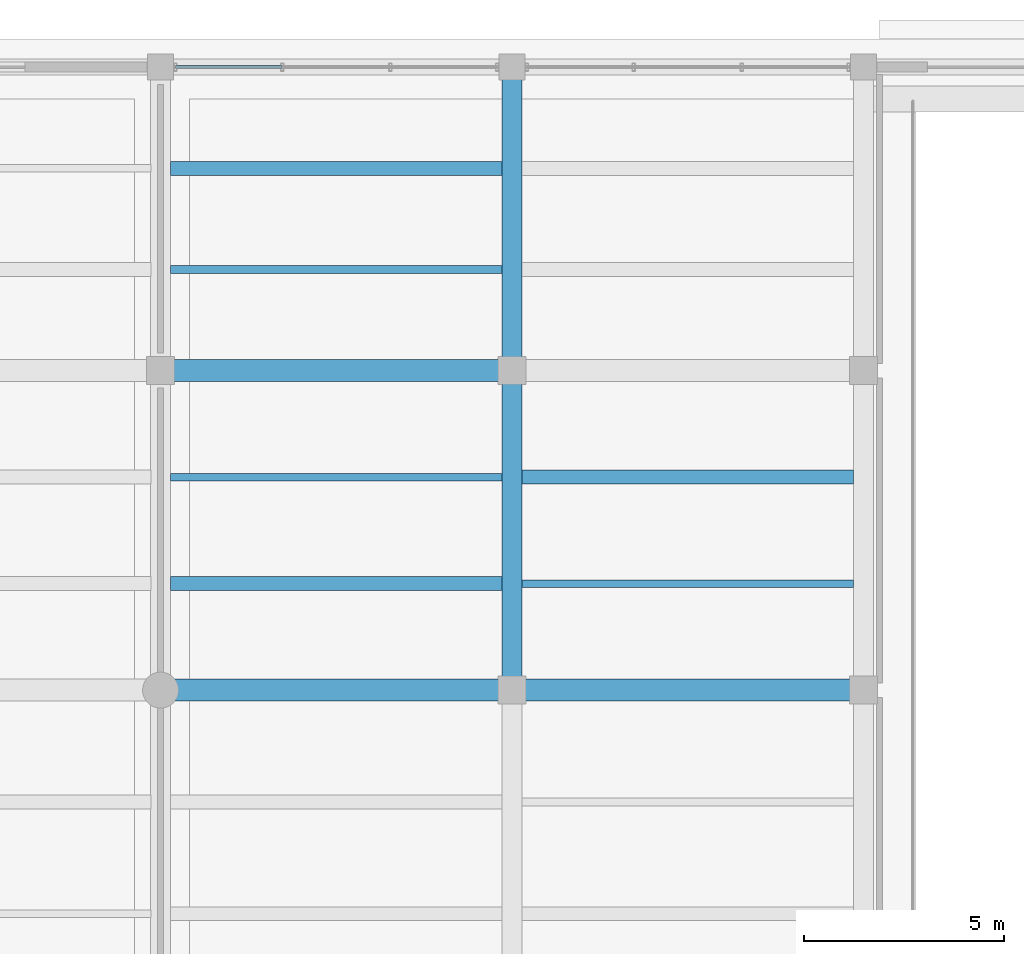
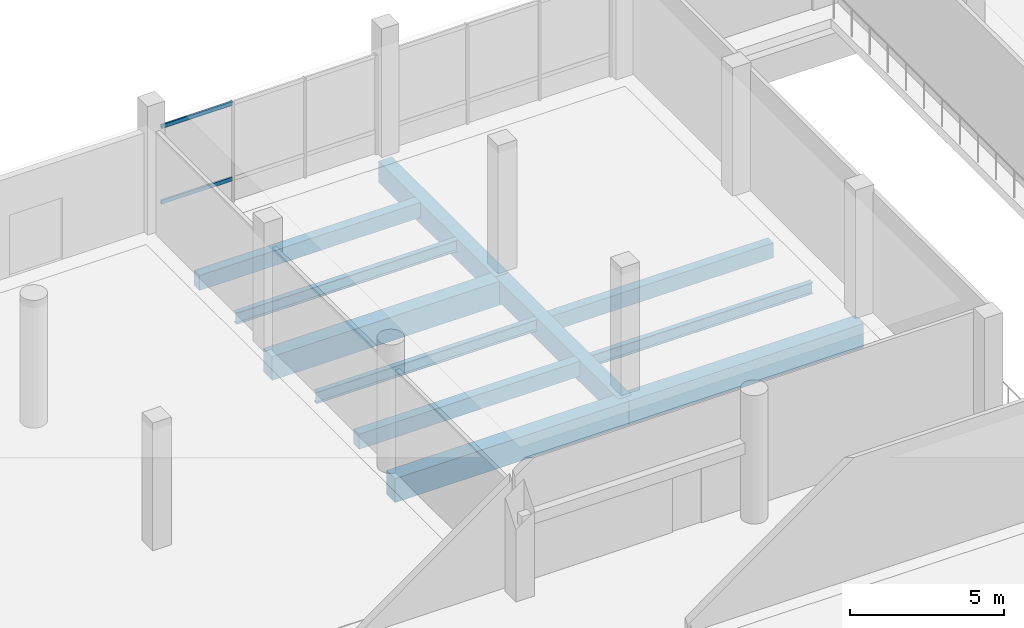
# One storey, part 49 of 73: 11 beams, 2 members, 1 element without a shape of its own.
"""IFC4 building model written with IfcOpenShell, lengths in metres."""

from ifc_helpers import new_model, si_unit, direction, frame, origin, origin_2d, place, context, subcontext, project, spatial, rectangle, hollow_rectangle, i_section, extrude, material, layer, layer_set, material_profile, profile_set, type_object, element, aggregate, save


model = new_model("IFC4")

# Units and contexts
model_context = context("Model", 3, precision=1e-05, world=origin(), true_north=direction((0.0, 1.0)))
body_context = subcontext(model_context, "Body", "Model", "MODEL_VIEW")
ifc_project = project(units=[si_unit("LENGTHUNIT", "METRE"), si_unit("AREAUNIT", "SQUARE_METRE"), si_unit("VOLUMEUNIT", "CUBIC_METRE"), si_unit("PLANEANGLEUNIT", "RADIAN"), si_unit("MASSUNIT", "GRAM", prefix="KILO")], contexts=[model_context])

# Site, building, storey
site_placement = place(None, origin())
site = spatial("IfcSite", under=ifc_project, at=site_placement, CompositionType="ELEMENT")
building_placement = place(site_placement, origin())
building = spatial("IfcBuilding", under=site, at=building_placement, Name="Meriwether Solvik Hall", CompositionType="ELEMENT")
storey_placement = place(building_placement, origin())
storey = spatial("IfcBuildingStorey", under=building, at=storey_placement, Name="L00", CompositionType="ELEMENT", Elevation=0.0)

# Beams
ifc_material_1 = material(Name="Concrete C40/50", Category="concrete")
ifc_material_profile_1 = material_profile(ifc_material_1, rectangle(XDim=0.35009765625, YDim=0.60009765625, at=origin_2d()), Name="RCB-350X600")
ifc_profile_set_1 = profile_set([ifc_material_profile_1], Name="Concrete C40/50")
beam_type_1 = type_object("IfcBeamType", Name="BM-RC-350X600", PredefinedType="JOIST", material=ifc_profile_set_1)
for number, where, z_axis, x_axis, name in (
    (1, (132.044921875, 103.86669921875, -0.659912109375), (1.0, 0.0, 0.0), (0.0, 1.0, 0.0), "Secondary Floor Joist 15/L_J1 (L00)"),
    (2, (132.044921875, 114.2666015625, -0.659912109375), (1.0, 0.0, 0.0), (0.0, 1.0, 0.0), "Secondary Floor Joist 15/M_J2 (L00)"),
    (3, (140.844970703125, 106.533203125, -0.659912109375), (1.0, 0.0, 0.0), (0.0, 1.0, 0.0), "Secondary Floor Joist 16/L_J2 (L00)"),
):
    element("IfcBeam", number, at=place(storey_placement, frame(where, z_axis=z_axis, x_axis=x_axis)), inside=storey, type_object=beam_type_1, Name=name, PredefinedType="JOIST", context=body_context, shape_type="SweptSolid", body=[
        extrude(rectangle(XDim=0.35009765625, YDim=0.60009765625, at=origin_2d()), origin(), (0.0, 0.0, 1.0), 8.31005859375),
    ])
ifc_material_2 = material(Name="Concrete C40/50", Category="concrete")
ifc_material_profile_2 = material_profile(ifc_material_2, rectangle(XDim=0.5, YDim=0.85009765625, at=origin_2d()), Name="RCB-500X850")
ifc_profile_set_2 = profile_set([ifc_material_profile_2], Name="Concrete C40/50")
beam_type_2 = type_object("IfcBeamType", Name="BM-RC-500X850", PredefinedType="BEAM", material=ifc_profile_set_2)
beam_1_placement = place(storey_placement, frame((140.60009765625, 101.199951171875, -0.784912109375), z_axis=(0.0, 1.0, 0.0), x_axis=(-1.0, 0.0, 0.0)))
element("IfcBeam", 4, at=beam_1_placement, inside=storey, type_object=beam_type_2, Name="Podium Girder 16:L-M (L00)", PredefinedType="BEAM", context=body_context, shape_type="SweptSolid", body=[
    extrude(rectangle(XDim=0.5, YDim=0.85009765625, at=origin_2d()), origin(), (0.0, 0.0, 1.0), 8.0),
])
beam_2_placement = place(storey_placement, frame((140.60009765625, 109.199951171875, -0.784912109375), z_axis=(0.0, 1.0, 0.0), x_axis=(-1.0, 0.0, 0.0)))
element("IfcBeam", 5, at=beam_2_placement, inside=storey, type_object=beam_type_2, Name="Podium Girder 16:M-N (L00)", PredefinedType="BEAM", context=body_context, shape_type="SweptSolid", body=[
    extrude(rectangle(XDim=0.5, YDim=0.85009765625, at=origin_2d()), origin(), (0.0, 0.0, 1.0), 7.60009765625),
])
ifc_material_3 = material(Name="Concrete C40/50", Category="concrete")
ifc_material_profile_3 = material_profile(ifc_material_3, rectangle(XDim=0.550048828125, YDim=0.949951171875, at=origin_2d()), Name="RCB-550X950")
ifc_profile_set_3 = profile_set([ifc_material_profile_3], Name="Concrete C40/50")
beam_type_3 = type_object("IfcBeamType", Name="BM-RC-550X950", PredefinedType="BEAM", material=ifc_profile_set_3)
beam_3_placement = place(storey_placement, frame((131.800048828125, 101.199951171875, -0.8349609375), z_axis=(1.0, 0.0, 0.0), x_axis=(0.0, 1.0, 0.0)))
element("IfcBeam", 6, at=beam_3_placement, inside=storey, type_object=beam_type_3, Name="Podium Girder L:15-16 (L00)", PredefinedType="BEAM", context=body_context, shape_type="SweptSolid", body=[
    extrude(rectangle(XDim=0.550048828125, YDim=0.949951171875, at=origin_2d()), origin(), (0.0, 0.0, 1.0), 8.800048828125),
])
beam_4_placement = place(storey_placement, frame((140.60009765625, 101.199951171875, -0.8349609375), z_axis=(1.0, 0.0, 0.0), x_axis=(0.0, 1.0, 0.0)))
element("IfcBeam", 7, at=beam_4_placement, inside=storey, type_object=beam_type_3, Name="Podium Girder L:16-17 (L00)", PredefinedType="BEAM", context=body_context, shape_type="SweptSolid", body=[
    extrude(rectangle(XDim=0.550048828125, YDim=0.949951171875, at=origin_2d()), origin(), (0.0, 0.0, 1.0), 8.7998046875),
])
beam_5_placement = place(storey_placement, frame((131.800048828125, 109.199951171875, -0.8349609375), z_axis=(1.0, 0.0, 0.0), x_axis=(0.0, 1.0, 0.0)))
element("IfcBeam", 8, at=beam_5_placement, inside=storey, type_object=beam_type_3, Name="Podium Girder M:15-16 (L00)", PredefinedType="BEAM", context=body_context, shape_type="SweptSolid", body=[
    extrude(rectangle(XDim=0.550048828125, YDim=0.949951171875, at=origin_2d()), origin(), (0.0, 0.0, 1.0), 8.800048828125),
])
ifc_material_4 = material(Name="Steel A992 Grade 50", Category="steel")
ifc_material_profile_4 = material_profile(ifc_material_4, i_section(OverallWidth=0.19091796875, OverallDepth=0.45703125, WebThickness=0.009033203125, FlangeThickness=0.014404296875, at=origin_2d()), Name="W18X50")
ifc_profile_set_4 = profile_set([ifc_material_profile_4], Name="Steel A992 Grade 50")
beam_type_4 = type_object("IfcBeamType", Name="BM-STL-W18X50", PredefinedType="JOIST", material=ifc_profile_set_4)
for number, where, z_axis, x_axis, name in (
    (9, (132.044921875, 106.533203125, -0.58837890625), (1.0, 0.0, 0.0), (0.0, 1.0, 0.0), "Secondary Floor Joist 15/L_J2 (L00)"),
    (10, (132.044921875, 111.7333984375, -0.58837890625), (1.0, 0.0, 0.0), (0.0, 1.0, 0.0), "Secondary Floor Joist 15/M_J1 (L00)"),
    (11, (140.844970703125, 103.86669921875, -0.58837890625), (1.0, 0.0, 0.0), (0.0, 1.0, 0.0), "Secondary Floor Joist 16/L_J1 (L00)"),
):
    element("IfcBeam", number, at=place(storey_placement, frame(where, z_axis=z_axis, x_axis=x_axis)), inside=storey, type_object=beam_type_4, Name=name, PredefinedType="JOIST", context=body_context, shape_type="SweptSolid", body=[
        extrude(i_section(OverallWidth=0.19091796875, OverallDepth=0.45703125, WebThickness=0.009033203125, FlangeThickness=0.014404296875, at=origin_2d()), origin(), (0.0, 0.0, 1.0), 8.31005859375),
    ])

# Curtain wall, members
ifc_material_5 = material(Name="Thermally Broken Anodised Aluminium 6063-T6 and Low-E Glass", Category="aluminium")
ifc_layer = layer(ifc_material_5, 0.179931640625)
ifc_layer_set = layer_set([ifc_layer], Name="Thermally Broken Anodised Aluminium 6063-T6 and Low-E Glass")
curtain_wall_type = type_object("IfcCurtainWallType", Name="CW-SF-POD-A", PredefinedType="USERDEFINED", material=ifc_layer_set)
curtain_wall_placement = place(storey_placement, origin())
curtain_wall = element("IfcCurtainWall", 12, at=curtain_wall_placement, inside=storey, type_object=curtain_wall_type, Name="Curtain Wall wing_XN_15_32 (L00)", ObjectType="STICK STOREFRONT GLAZING", PredefinedType="USERDEFINED")
ifc_material_6 = material(Name="Anodised Aluminium 6063-T6", Category="aluminium")
ifc_material_profile_5 = material_profile(ifc_material_6, hollow_rectangle(XDim=0.070068359375, YDim=0.14990234375, WallThickness=0.0048828125, at=origin_2d()), Name="CWT-70X150")
ifc_profile_set_5 = profile_set([ifc_material_profile_5], Name="Anodised Aluminium 6063-T6")
member_type = type_object("IfcMemberType", Name="CW-TRN-70X150", PredefinedType="USERDEFINED", material=ifc_profile_set_5)
member_1_placement = place(storey_placement, frame((132.175048828125, 116.800048828125, 0.8798828125), z_axis=(1.0, 0.0, 0.0), x_axis=(0.0, 1.0, 0.0)))
member_1 = element("IfcMember", 13, at=member_1_placement, type_object=member_type, Name="Curtain Wall Transom 1-sill", ObjectType="TRANSOM", PredefinedType="USERDEFINED", context=body_context, shape_type="SweptSolid", body=[
    extrude(hollow_rectangle(XDim=0.070068359375, YDim=0.14990234375, WallThickness=0.0048828125, at=origin_2d()), origin(), (0.0, 0.0, 1.0), 2.670654296875),
])
member_2_placement = place(storey_placement, frame((132.175048828125, 116.800048828125, 3.8798828125), z_axis=(1.0, 0.0, 0.0), x_axis=(0.0, 1.0, 0.0)))
member_2 = element("IfcMember", 14, at=member_2_placement, type_object=member_type, Name="Curtain Wall Transom 1-head", ObjectType="TRANSOM", PredefinedType="USERDEFINED", context=body_context, shape_type="SweptSolid", body=[
    extrude(hollow_rectangle(XDim=0.070068359375, YDim=0.14990234375, WallThickness=0.0048828125, at=origin_2d()), origin(), (0.0, 0.0, 1.0), 2.670654296875),
])
aggregate(curtain_wall, [member_1, member_2])

save(model, "model.ifc")
